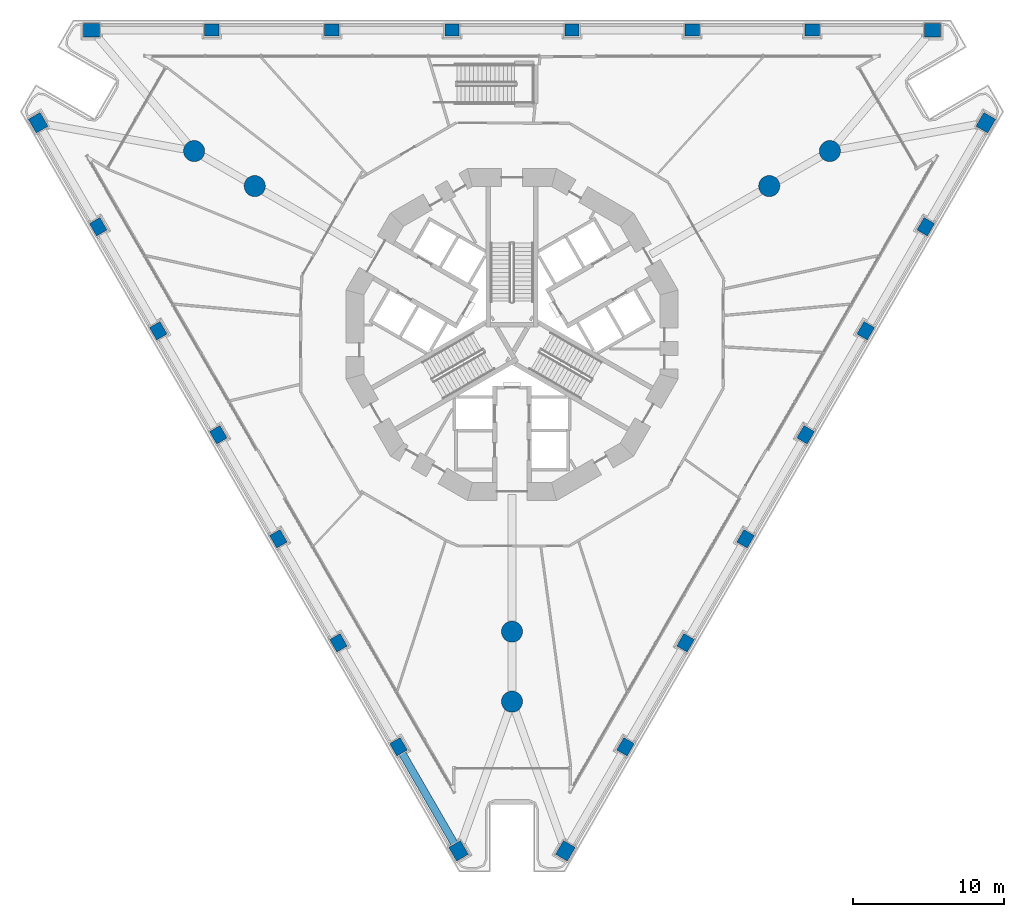
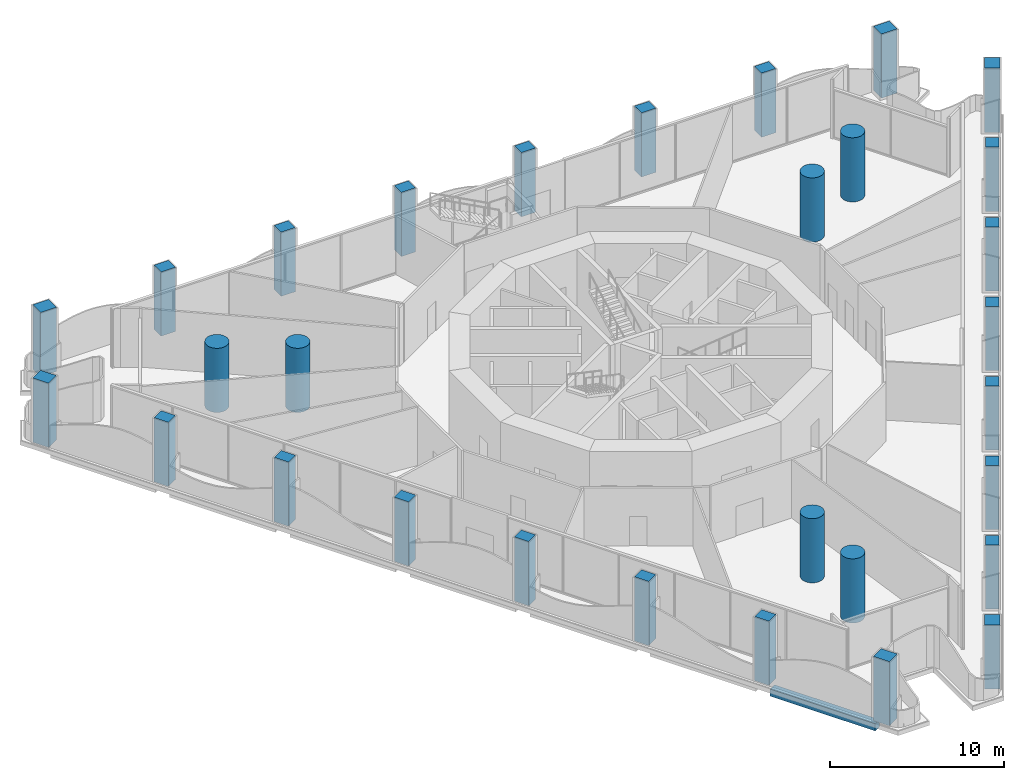
# One storey, part 1 of 22: 30 columns, 1 beam.
"""IFC4 building model written with IfcOpenShell, lengths in metres."""

import ifcopenshell
import ifcopenshell.guid

model = None  # the IFC model being written
_history = None  # IfcOwnerHistory: only IFC2X3 demands one
_inside = {}  # id of a spatial element -> (the spatial element, [elements in it])
_under = {}  # id of a project, library or spatial element -> (it, [spatial elements below it])
_declared = {}  # id of a project -> (the project, [libraries it declares])
_typed = {}  # id of a type object -> (the type object, [elements of that type])
_made_of = {}  # id of a material, layer set ... -> (it, [elements and type objects made of it])


def new_model(schema):
    """Start an empty IFC model of exactly this schema.

    Asked for "IFC4X3", IfcOpenShell would pick the latest addendum, in which some entities
    have other attributes; the version numbers below select the first issue.
    IFC2X3 requires an IfcOwnerHistory on every rooted entity: one is made here for all.
    """
    global model, _history
    if schema == "IFC4X3":
        model = ifcopenshell.file(schema_version=(4, 3, 0, 0))
    else:
        model = ifcopenshell.file(schema=schema)
    _inside.clear()
    _under.clear()
    _declared.clear()
    _typed.clear()
    _made_of.clear()
    _history = None
    if model.schema == "IFC2X3":
        org = make("IfcOrganization", Name="unknown")
        user = make(
            "IfcPersonAndOrganization",
            ThePerson=make("IfcPerson", FamilyName="unknown"),
            TheOrganization=org,
        )
        app = make(
            "IfcApplication",
            ApplicationDeveloper=org,
            Version="unknown",
            ApplicationFullName="unknown",
            ApplicationIdentifier="unknown",
        )
        _history = make(
            "IfcOwnerHistory",
            OwningUser=user,
            OwningApplication=app,
            ChangeAction="ADDED",
            CreationDate=0,
        )
    return model


def make(cls, **values):
    """One entity of the class cls with the attributes given. An attribute that is None is left unset."""
    return model.create_entity(
        cls, **{name: value for name, value in values.items() if value is not None}
    )


def rooted(cls, **values):
    """An entity with a GlobalId (a new one), such as an element, a storey or a relation."""
    return make(cls, GlobalId=ifcopenshell.guid.new(), OwnerHistory=_history, **values)


def si_unit(unit_type, name, prefix=None):
    """IfcSIUnit, for example si_unit("LENGTHUNIT", "METRE", prefix="MILLI")."""
    return make("IfcSIUnit", UnitType=unit_type, Prefix=prefix, Name=name)


def assignment(units):
    """IfcUnitAssignment: the units of a project."""
    return None if units is None else make("IfcUnitAssignment", Units=units)


def point(xyz):
    """IfcCartesianPoint."""
    return None if xyz is None else make("IfcCartesianPoint", Coordinates=xyz)


def direction(xyz):
    """IfcDirection."""
    return None if xyz is None else make("IfcDirection", DirectionRatios=xyz)


def frame(location, z_axis=None, x_axis=None):
    """IfcAxis2Placement3D, a coordinate frame: its origin and axes. An axis left out is left unset."""
    return make(
        "IfcAxis2Placement3D",
        Location=point(location),
        Axis=direction(z_axis),
        RefDirection=direction(x_axis),
    )


def frame_2d(location, x_axis=None):
    """IfcAxis2Placement2D, a coordinate frame in the plane: its origin and x axis."""
    return make(
        "IfcAxis2Placement2D", Location=point(location), RefDirection=direction(x_axis)
    )


def origin():
    """The frame at (0, 0, 0) with its axes left unset."""
    return frame((0.0, 0.0, 0.0))


def origin_2d():
    """The frame at (0, 0) in the plane with its x axis left unset."""
    return frame_2d((0.0, 0.0))


def place(relative_to, where):
    """IfcLocalPlacement: puts the frame where relative to a parent placement (None: the world)."""
    return make(
        "IfcLocalPlacement", PlacementRelTo=relative_to, RelativePlacement=where
    )


def context(
    kind, dimensions, precision=None, world=None, true_north=None, identifier=None
):
    """IfcGeometricRepresentationContext, for example the 3D "Model" context."""
    return make(
        "IfcGeometricRepresentationContext",
        ContextIdentifier=identifier,
        ContextType=kind,
        CoordinateSpaceDimension=dimensions,
        Precision=precision,
        WorldCoordinateSystem=world,
        TrueNorth=true_north,
    )


def subcontext(parent, identifier, kind, view, scale=None):
    """IfcGeometricRepresentationSubContext, for example "Body" below "Model"."""
    return make(
        "IfcGeometricRepresentationSubContext",
        ContextIdentifier=identifier,
        ContextType=kind,
        ParentContext=parent,
        TargetScale=scale,
        TargetView=view,
    )


def project(units=None, contexts=None):
    """IfcProject with its units and contexts."""
    return rooted(
        "IfcProject",
        Name="project",
        RepresentationContexts=contexts,
        UnitsInContext=assignment(units),
    )


def spatial(cls, under=None, at=None, **own):
    """A site, building, storey or space (cls), placed at a placement, below another one or the project."""
    s = rooted(cls, ObjectPlacement=at, **own)
    if under is not None:
        _under.setdefault(under.id(), (under, []))[1].append(s)
    return s


def profile(cls, at=None, kind="AREA", **sizes):
    """A parametric profile (cls). Its sizes go by their IFC names, for example OverallWidth=200.0."""
    return make(cls, ProfileType=kind, Position=at, **sizes)


def rectangle(**sizes):
    """IfcRectangleProfileDef."""
    return profile("IfcRectangleProfileDef", **sizes)


def circle(**sizes):
    """IfcCircleProfileDef."""
    return profile("IfcCircleProfileDef", **sizes)


def extrude(swept, where, along, depth):
    """IfcExtrudedAreaSolid: the profile swept, set in the frame where, extruded along a direction by depth."""
    return make(
        "IfcExtrudedAreaSolid",
        SweptArea=swept,
        Position=where,
        ExtrudedDirection=direction(along),
        Depth=depth,
    )


def shape(context_of_items, identifier, shape_type, items):
    """IfcShapeRepresentation: the items that make up one representation, for example the "Body"."""
    return make(
        "IfcShapeRepresentation",
        ContextOfItems=context_of_items,
        RepresentationIdentifier=identifier,
        RepresentationType=shape_type,
        Items=items,
    )


def material(Name=None, Category=None):
    """IfcMaterial."""
    return make("IfcMaterial", Name=Name, Category=Category)


def material_profile(
    of_material, cross_section, Name=None, Category=None, Priority=None
):
    """IfcMaterialProfile: a cross section and its material."""
    return make(
        "IfcMaterialProfile",
        Name=Name,
        Material=of_material,
        Profile=cross_section,
        Priority=Priority,
        Category=Category,
    )


def profile_set(profiles, Name=None, composite=None):
    """IfcMaterialProfileSet."""
    return make(
        "IfcMaterialProfileSet",
        Name=Name,
        MaterialProfiles=profiles,
        CompositeProfile=composite,
    )


def made_of(thing, what):
    """Note that an element or type object is made of a material, layer set ...; save() writes the relation."""
    if what is not None:
        _made_of.setdefault(what.id(), (what, []))[1].append(thing)
    return thing


def type_object(cls, material=None, **own):
    """A type object (cls), such as IfcWallType, which elements share."""
    return made_of(rooted(cls, **own), material)


def element(
    cls,
    number,
    at=None,
    inside=None,
    cuts=None,
    type_object=None,
    material=None,
    context=None,
    identifier="Body",
    shape_type=None,
    held_by="IfcProductDefinitionShape",
    body=None,
    shapes=None,
    **own,
):
    """One element of the class cls, such as IfcWall. Its Tag is "e" and its number.

    at: its placement. inside: the storey or other place that contains it. cuts: it is an
    opening in that element (IfcRelVoidsElement). A single representation is given by context,
    identifier, shape_type and body (its items); several are given by shapes. held_by: the class
    of the entity that holds the representations. save() writes the other relations.
    """
    e = rooted(cls, Tag="e%d" % number, ObjectPlacement=at, **own)
    if body is not None:
        shapes = [shape(context, identifier, shape_type, body)]
    if shapes is not None:
        e.Representation = make(held_by, Representations=shapes)
    if inside is not None:
        _inside.setdefault(inside.id(), (inside, []))[1].append(e)
    if cuts is not None:
        rooted(
            "IfcRelVoidsElement", RelatingBuildingElement=cuts, RelatedOpeningElement=e
        )
    if type_object is not None:
        _typed.setdefault(type_object.id(), (type_object, []))[1].append(e)
    return made_of(e, material)


def aggregate(whole, parts):
    """IfcRelAggregates: a whole, such as a stair, and the parts it consists of."""
    return rooted("IfcRelAggregates", RelatingObject=whole, RelatedObjects=parts)


def save(model, path):
    """Write the relations noted so far, then the file.

    IfcRelAggregates (storeys below a building ...), IfcRelContainedInSpatialStructure (elements
    in a storey), IfcRelDefinesByType, IfcRelAssociatesMaterial and IfcRelDeclares: one each for
    every whole, place, type object, material and project.
    """
    for whole, parts in _under.values():
        aggregate(whole, parts)
    for where, things in _inside.values():
        rooted(
            "IfcRelContainedInSpatialStructure",
            RelatedElements=things,
            RelatingStructure=where,
        )
    for kind, things in _typed.values():
        rooted("IfcRelDefinesByType", RelatedObjects=things, RelatingType=kind)
    for what, things in _made_of.values():
        rooted("IfcRelAssociatesMaterial", RelatedObjects=things, RelatingMaterial=what)
    for by, libraries in _declared.values():
        rooted("IfcRelDeclares", RelatingContext=by, RelatedDefinitions=libraries)
    model.write(path)


model = new_model("IFC4")

# Units and contexts
model_context = context("Model", 3, precision=1e-05, world=origin(), true_north=direction((0.0, 1.0)))
body_context = subcontext(model_context, "Body", "Model", "MODEL_VIEW")
ifc_project = project(units=[si_unit("LENGTHUNIT", "METRE"), si_unit("AREAUNIT", "SQUARE_METRE"), si_unit("VOLUMEUNIT", "CUBIC_METRE"), si_unit("PLANEANGLEUNIT", "RADIAN"), si_unit("MASSUNIT", "GRAM", prefix="KILO")], contexts=[model_context])

# Site, building, storey
site_placement = place(None, origin())
site = spatial("IfcSite", under=ifc_project, at=site_placement, CompositionType="ELEMENT")
building_placement = place(site_placement, origin())
building = spatial("IfcBuilding", under=site, at=building_placement, Name="Trine Commons Tower", CompositionType="ELEMENT")
storey_placement = place(building_placement, frame((0.0, 0.0, 22.5)))
storey = spatial("IfcBuildingStorey", under=building, at=storey_placement, Name="L04", CompositionType="ELEMENT", Elevation=22.5)

# Columns
ifc_material_1 = material(Name="Concrete C80/95", Category="concrete")
ifc_material_profile_1 = material_profile(ifc_material_1, rectangle(XDim=1.050048828125, YDim=0.89990234375, at=origin_2d()), Name="RC 1050x900")
ifc_profile_set_1 = profile_set([ifc_material_profile_1], Name="Concrete C80/95")
column_type_1 = type_object("IfcColumnType", Name="RC column 1050x900, C80/95", PredefinedType="COLUMN", material=ifc_profile_set_1)
for number, where, z_axis, x_axis, name in (
    (1, (76.45556640625, 28.27001953125, 0.0), (0.0, 0.0, 1.0), (-0.5, 0.866025403784, 0.0), "Column PC1-01 L04"),
    (2, (48.583740234375, 76.54541015625, 0.0), (0.0, 0.0, 1.0), (-0.5, 0.866025403784, 0.0), "Column PC1-08 L04"),
    (3, (52.128173828125, 82.6845703125, 0.0), (0.0, 0.0, 1.0), (1.0, 0.0, 0.0), "Column PC1-09 L04"),
    (4, (107.871826171875, 82.6845703125, 0.0), (0.0, 0.0, 1.0), (1.0, 0.0, 0.0), "Column PC1-16 L04"),
    (5, (111.416259765625, 76.54541015625, 0.0), (0.0, 0.0, 1.0), (0.5, 0.866025403784, 0.0), "Column PC1-17 L04"),
    (6, (83.54443359375, 28.27001953125, 0.0), (0.0, 0.0, 1.0), (0.5, 0.866025403784, 0.0), "Column PC1-24 L04"),
):
    element("IfcColumn", number, at=place(storey_placement, frame(where, z_axis=z_axis, x_axis=x_axis)), inside=storey, type_object=column_type_1, Name=name, PredefinedType="COLUMN", context=body_context, shape_type="SweptSolid", body=[
        extrude(rectangle(XDim=1.050048828125, YDim=0.89990234375, at=origin_2d()), origin(), (0.0, 0.0, 1.0), 4.5),
    ])
ifc_material_profile_2 = material_profile(ifc_material_1, rectangle(XDim=0.949951171875, YDim=0.800048828125, at=origin_2d()), Name="RC 950x800")
ifc_profile_set_2 = profile_set([ifc_material_profile_2], Name="Concrete C80/95")
column_type_2 = type_object("IfcColumnType", Name="RC column 950x800, C80/95", PredefinedType="COLUMN", material=ifc_profile_set_2)
for number, where, z_axis, x_axis, name in (
    (7, (72.473876953125, 35.16650390625, 0.0), (0.0, 0.0, 1.0), (-0.5, 0.866025403784, 0.0), "Column PC1-02 L04"),
    (8, (68.4921875, 42.06298828125, 0.0), (0.0, 0.0, 1.0), (-0.5, 0.866025403784, 0.0), "Column PC1-03 L04"),
    (9, (64.510498046875, 48.95947265625, 0.0), (0.0, 0.0, 1.0), (-0.5, 0.866025403784, 0.0), "Column PC1-04 L04"),
    (10, (60.52880859375, 55.85595703125, 0.0), (0.0, 0.0, 1.0), (-0.5, 0.866025403784, 0.0), "Column PC1-05 L04"),
    (11, (56.547119140625, 62.75244140625, 0.0), (0.0, 0.0, 1.0), (-0.5, 0.866025403784, 0.0), "Column PC1-06 L04"),
    (12, (52.5654296875, 69.64892578125, 0.0), (0.0, 0.0, 1.0), (-0.5, 0.866025403784, 0.0), "Column PC1-07 L04"),
    (13, (60.091552734375, 82.6845703125, 0.0), (0.0, 0.0, 1.0), (1.0, 0.0, 0.0), "Column PC1-10 L04"),
    (14, (68.054931640625, 82.6845703125, 0.0), (0.0, 0.0, 1.0), (1.0, 0.0, 0.0), "Column PC1-11 L04"),
    (15, (76.018310546875, 82.6845703125, 0.0), (0.0, 0.0, 1.0), (1.0, 0.0, 0.0), "Column PC1-12 L04"),
    (16, (83.981689453125, 82.6845703125, 0.0), (0.0, 0.0, 1.0), (1.0, 0.0, 0.0), "Column PC1-13 L04"),
    (17, (91.945068359375, 82.6845703125, 0.0), (0.0, 0.0, 1.0), (1.0, 0.0, 0.0), "Column PC1-14 L04"),
    (18, (99.908447265625, 82.6845703125, 0.0), (0.0, 0.0, 1.0), (1.0, 0.0, 0.0), "Column PC1-15 L04"),
    (19, (107.4345703125, 69.64892578125, 0.0), (0.0, 0.0, 1.0), (0.5, 0.866025403784, 0.0), "Column PC1-18 L04"),
    (20, (103.452880859375, 62.75244140625, 0.0), (0.0, 0.0, 1.0), (0.5, 0.866025403784, 0.0), "Column PC1-19 L04"),
    (21, (99.47119140625, 55.85595703125, 0.0), (0.0, 0.0, 1.0), (0.5, 0.866025403784, 0.0), "Column PC1-20 L04"),
    (22, (95.489501953125, 48.95947265625, 0.0), (0.0, 0.0, 1.0), (0.5, 0.866025403784, 0.0), "Column PC1-21 L04"),
    (23, (91.5078125, 42.06298828125, 0.0), (0.0, 0.0, 1.0), (0.5, 0.866025403784, 0.0), "Column PC1-22 L04"),
    (24, (87.526123046875, 35.16650390625, 0.0), (0.0, 0.0, 1.0), (0.5, 0.866025403784, 0.0), "Column PC1-23 L04"),
):
    element("IfcColumn", number, at=place(storey_placement, frame(where, z_axis=z_axis, x_axis=x_axis)), inside=storey, type_object=column_type_2, Name=name, PredefinedType="COLUMN", context=body_context, shape_type="SweptSolid", body=[
        extrude(rectangle(XDim=0.949951171875, YDim=0.800048828125, at=origin_2d()), origin(), (0.0, 0.0, 1.0), 4.5),
    ])
ifc_material_profile_3 = material_profile(ifc_material_1, circle(Radius=0.699951171875, at=origin_2d()), Name="RC round 1400")
ifc_profile_set_3 = profile_set([ifc_material_profile_3], Name="Concrete C80/95")
column_type_3 = type_object("IfcColumnType", Name="RC round column 1400 mm, C80/95", PredefinedType="COLUMN", material=ifc_profile_set_3)
for number, where, z_axis, x_axis, name in (
    (25, (80.0, 42.802978515625, 0.0), (0.0, 0.0, 1.0), (1.0, 0.0, 0.0), "Column WC1-1 L04"),
    (26, (80.0, 38.162109375, 0.0), (0.0, 0.0, 1.0), (1.0, 0.0, 0.0), "Column WC1-2 L04"),
    (27, (97.05810546875, 72.348388671875, 0.0), (0.0, 0.0, 1.0), (1.0, 0.0, 0.0), "Column WC1-3 L04"),
    (28, (101.0771484375, 74.6689453125, 0.0), (0.0, 0.0, 1.0), (1.0, 0.0, 0.0), "Column WC1-4 L04"),
    (29, (62.94189453125, 72.348388671875, 0.0), (0.0, 0.0, 1.0), (1.0, 0.0, 0.0), "Column WC1-5 L04"),
    (30, (58.9228515625, 74.6689453125, 0.0), (0.0, 0.0, 1.0), (1.0, 0.0, 0.0), "Column WC1-6 L04"),
):
    element("IfcColumn", number, at=place(storey_placement, frame(where, z_axis=z_axis, x_axis=x_axis)), inside=storey, type_object=column_type_3, Name=name, PredefinedType="COLUMN", context=body_context, shape_type="SweptSolid", body=[
        extrude(circle(Radius=0.699951171875, at=origin_2d()), origin(), (0.0, 0.0, 1.0), 4.5),
    ])

# Beam
ifc_material_2 = material(Name="Concrete C50/60", Category="concrete")
ifc_material_profile_4 = material_profile(ifc_material_2, rectangle(XDim=0.5, YDim=0.5, at=origin_2d()), Name="RC 500x500")
ifc_profile_set_4 = profile_set([ifc_material_profile_4], Name="Concrete C50/60")
beam_type = type_object("IfcBeamType", Name="RC beam 500x500, C50/60", PredefinedType="BEAM", material=ifc_profile_set_4)
beam_placement = place(storey_placement, frame((76.193115234375, 28.724609375, -0.60009765625), z_axis=(-0.500022902661, 0.866012180523, 0.0), x_axis=(-0.866012180523, -0.500022902661, 0.0)))
element("IfcBeam", 31, at=beam_placement, inside=storey, type_object=beam_type, Name="Beam EB1-01 L04", PredefinedType="BEAM", context=body_context, shape_type="SweptSolid", body=[
    extrude(rectangle(XDim=0.5, YDim=0.5, at=origin_2d()), origin(), (0.0, 0.0, 1.0), 6.963623046875),
])

save(model, "model.ifc")
